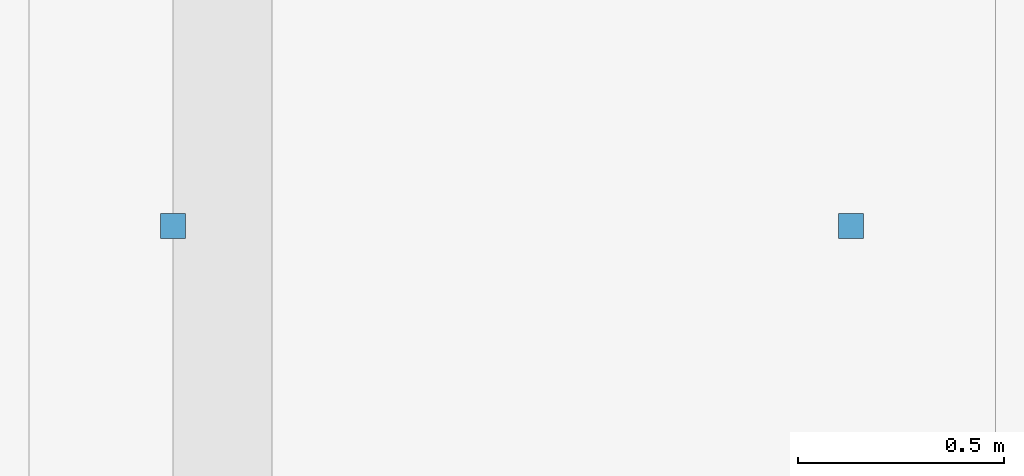
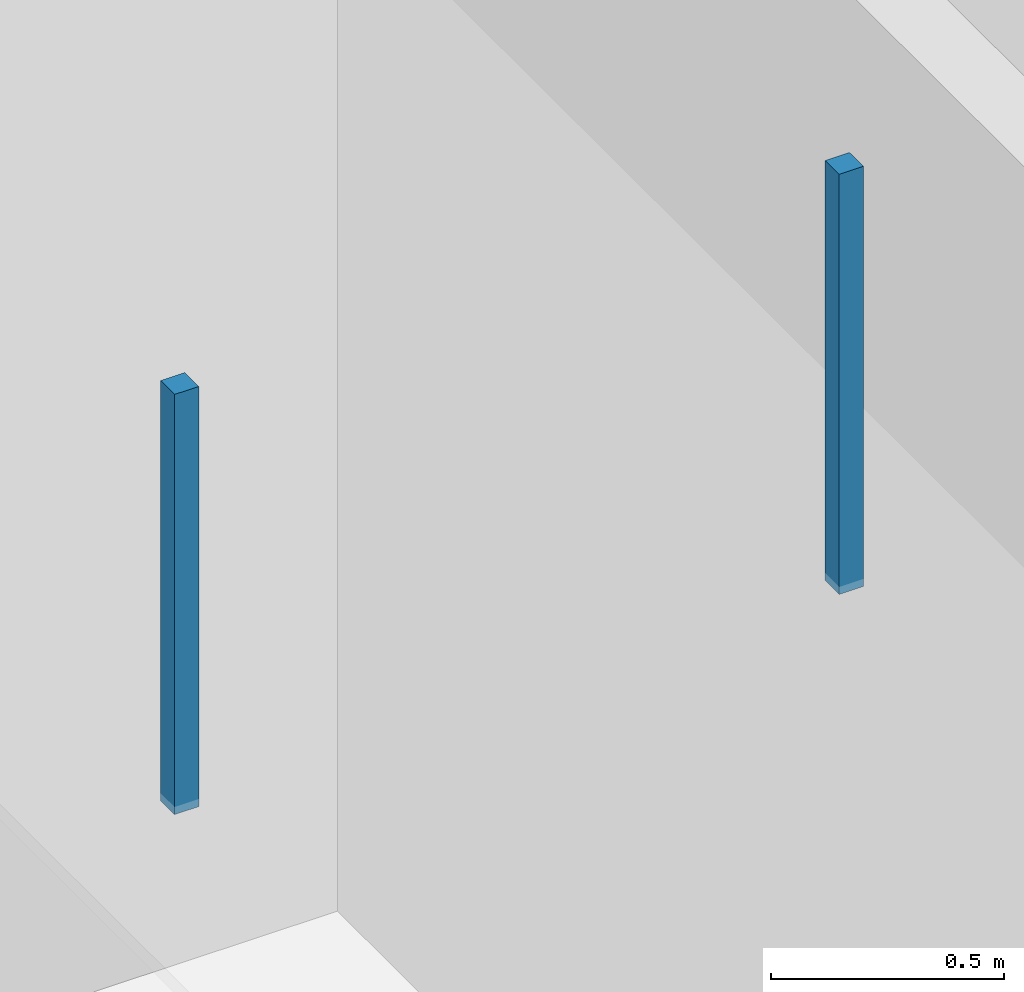
# One storey, part 120 of 147: 2 discrete accessories.
"""IFC4 building model written with IfcOpenShell, lengths in metres."""

from ifc_helpers import new_model, si_unit, direction, frame, origin, origin_2d, place, context, subcontext, project, spatial, rectangle, extrude, material, type_object, element, save


model = new_model("IFC4")

# Units and contexts
model_context = context("Model", 3, precision=1e-05, world=origin(), true_north=direction((0.0, 1.0)))
body_context = subcontext(model_context, "Body", "Model", "MODEL_VIEW")
ifc_project = project(units=[si_unit("LENGTHUNIT", "METRE"), si_unit("AREAUNIT", "SQUARE_METRE"), si_unit("VOLUMEUNIT", "CUBIC_METRE"), si_unit("PLANEANGLEUNIT", "RADIAN"), si_unit("MASSUNIT", "GRAM", prefix="KILO")], contexts=[model_context])

# Site, building, storey
site_placement = place(None, origin())
site = spatial("IfcSite", under=ifc_project, at=site_placement, CompositionType="ELEMENT")
building_placement = place(site_placement, origin())
building = spatial("IfcBuilding", under=site, at=building_placement, Name="Khelvaren Railside Concert Hall", CompositionType="ELEMENT")
storey_placement = place(building_placement, frame((0.0, 0.0, 5.39990234375)))
storey = spatial("IfcBuildingStorey", under=building, at=storey_placement, Name="L01", CompositionType="ELEMENT", Elevation=5.39990234375)

# Discrete accessories
ifc_material = material(Name="Galvanised steel acoustic ceiling hanger rod", Category="steel")
discrete_accessory_type = type_object("IfcDiscreteAccessoryType", Name="BRK62", PredefinedType="BRACKET", material=ifc_material)
for number, where, z_axis, x_axis, name in (
    (1, (155.8798828125, 110.125, 3.429931640625), (0.0, 0.0, 1.0), (1.0, 0.0, 0.0), "Acoustic Ceiling Suspension Bracket 144-1"),
    (2, (157.52587890625, 110.125, 3.429931640625), (0.0, 0.0, 1.0), (1.0, 0.0, 0.0), "Acoustic Ceiling Suspension Bracket 144-2"),
):
    element("IfcDiscreteAccessory", number, at=place(storey_placement, frame(where, z_axis=z_axis, x_axis=x_axis)), inside=storey, type_object=discrete_accessory_type, Name=name, PredefinedType="BRACKET", context=body_context, shape_type="SweptSolid", body=[
        extrude(rectangle(XDim=0.06005859375, YDim=0.06005859375, at=origin_2d()), origin(), (0.0, 0.0, 1.0), 1.10009765625),
    ])

save(model, "model.ifc")
